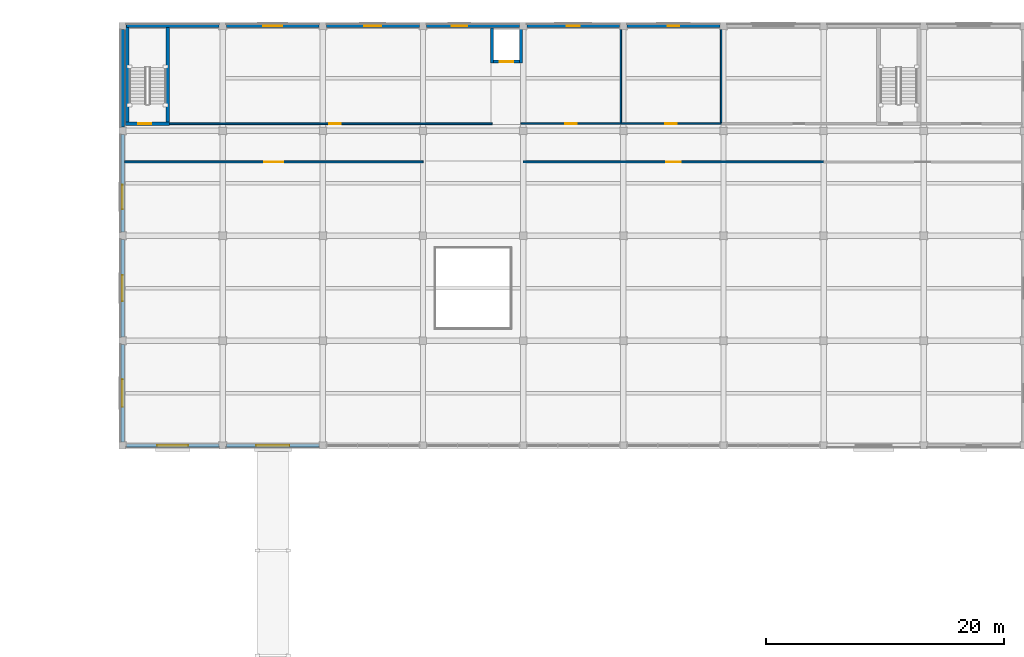
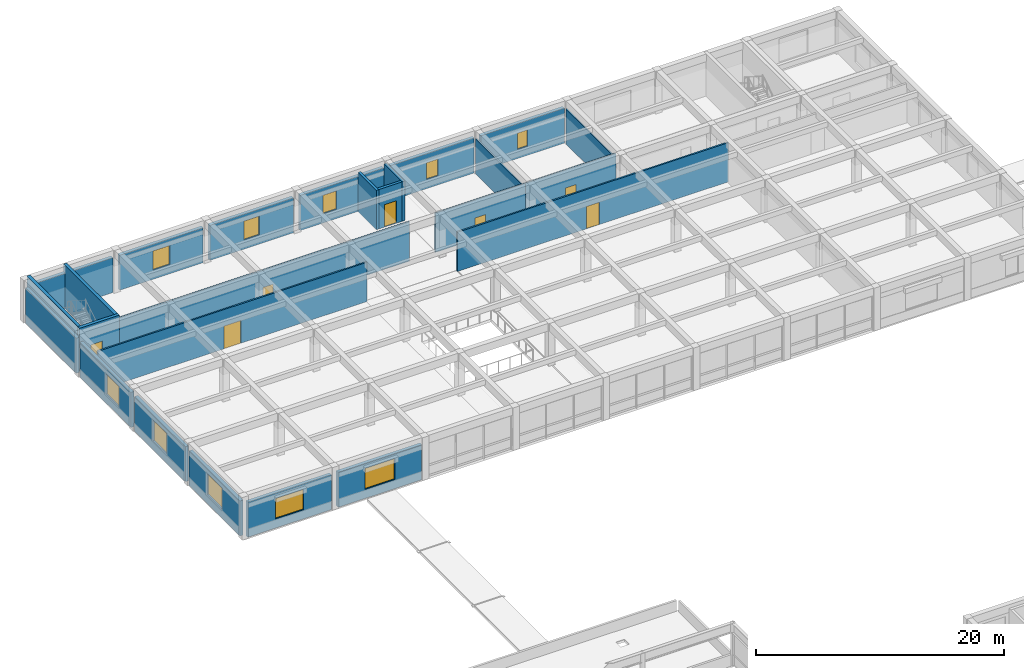
# One storey, part 32 of 46: 25 walls, 10 windows, 7 doors, 17 openings.
"""IFC4 building model written with IfcOpenShell, lengths in metres."""

from ifc_helpers import new_model, si_unit, direction, frame, frame_2d, origin, place, context, subcontext, project, spatial, rectangle, extrude, material, layer, layer_set, type_object, element, fill, save


model = new_model("IFC4")

# Units and contexts
model_context = context("Model", 3, precision=1e-05, world=origin(), true_north=direction((0.0, 1.0)))
body_context = subcontext(model_context, "Body", "Model", "MODEL_VIEW")
ifc_project = project(units=[si_unit("LENGTHUNIT", "METRE"), si_unit("AREAUNIT", "SQUARE_METRE"), si_unit("VOLUMEUNIT", "CUBIC_METRE"), si_unit("PLANEANGLEUNIT", "RADIAN"), si_unit("MASSUNIT", "GRAM", prefix="KILO")], contexts=[model_context])

# Site, building, storey
site_placement = place(None, origin())
site = spatial("IfcSite", under=ifc_project, at=site_placement, CompositionType="ELEMENT")
building_placement = place(site_placement, origin())
building = spatial("IfcBuilding", under=site, at=building_placement, Name="Kemercrest Conservatory and Botanical Centre", CompositionType="ELEMENT")
storey_placement = place(building_placement, frame((0.0, 0.0, 9.0)))
storey = spatial("IfcBuildingStorey", under=building, at=storey_placement, Name="L02", CompositionType="ELEMENT", Elevation=9.0)

# Wall
ifc_material_1 = material(Name="Precast concrete C40/50", Category="concrete")
ifc_layer_1 = layer(ifc_material_1, 0.300048828125)
ifc_layer_set_1 = layer_set([ifc_layer_1], Name="Precast concrete C40/50")
wall_type_1 = type_object("IfcWallType", Name="CW-EXT300", PredefinedType="SHEAR", material=ifc_layer_set_1)
wall_1_placement = place(storey_placement, frame((24.489990234375, 122.39990234375, 0.0), z_axis=(0.0, 0.0, 1.0), x_axis=(-1.0, 0.0, 0.0)))
element("IfcWall", 1, at=wall_1_placement, inside=storey, type_object=wall_type_1, Name="Exterior stair-core shear wall CW-EXT300 (WAL:L02:EXT-133)", PredefinedType="SHEAR", context=body_context, shape_type="SweptSolid", body=[
    extrude(rectangle(XDim=7.780029296875, YDim=0.300048828125, at=frame_2d((3.89013671875, 0.0))), origin(), (0.0, 0.0, 1.0), 3.449951171875),
])

# Wall, opening, door
ifc_material_2 = material(Name="Concrete C50/60", Category="concrete")
ifc_layer_2 = layer(ifc_material_2, 0.300048828125)
ifc_layer_set_2 = layer_set([ifc_layer_2], Name="Concrete C50/60")
wall_type_2 = type_object("IfcWallType", Name="CW-STAIR", PredefinedType="SHEAR", material=ifc_layer_set_2)
wall_2_placement = place(storey_placement, frame((16.64990234375, 114.199951171875, 0.0), z_axis=(0.0, 0.0, 1.0), x_axis=(1.0, 0.0, 0.0)))
wall_2 = element("IfcWall", 2, at=wall_2_placement, inside=storey, type_object=wall_type_2, Name="Stair core ST-V3A shear wall S", PredefinedType="SHEAR", context=body_context, shape_type="SweptSolid", body=[
    extrude(rectangle(XDim=3.7001953125, YDim=0.300048828125, at=frame_2d((1.85009765625, 0.0))), origin(), (0.0, 0.0, 1.0), 4.199951171875),
])
opening_1_placement = place(wall_2_placement, frame((1.050048828125, 0.0, 0.0)))
opening_1 = element("IfcOpeningElement", 3, at=opening_1_placement, cuts=wall_2, Name="Opening D018", PredefinedType="OPENING", context=body_context, shape_type="SweptSolid", body=[
    extrude(rectangle(XDim=1.10009765625, YDim=2.199951171875, at=frame_2d((0.550048828125, 1.10009765625))), frame((0.0, 0.16015625, 0.0), z_axis=(0.0, -1.0, 0.0), x_axis=(1.0, 0.0, 0.0)), (0.0, 0.0, 1.0), 0.320068359375),
])
ifc_material_3 = material(Name="Powder-coated galvanized steel and fire-rated vision glass", Category="steel")
door_type_1 = type_object("IfcDoorType", Name="DT-FD90", OperationType="NOTDEFINED", PredefinedType="DOOR", material=ifc_material_3)
door_1_placement = place(opening_1_placement, origin())
door_1 = element("IfcDoor", 4, at=door_1_placement, inside=storey, type_object=door_type_1, Name="Exit stair ST-V3A fire door D018", OperationType="SINGLE_SWING_RIGHT", OverallHeight=2.199951171875, OverallWidth=1.10009765625, PredefinedType="DOOR", context=body_context, shape_type="SweptSolid", body=[
    extrude(rectangle(XDim=1.10009765625, YDim=2.199951171875, at=frame_2d((0.550048828125, 1.10009765625))), frame((0.0, 0.02490234375, 0.0), z_axis=(0.0, -1.0, 0.0), x_axis=(1.0, 0.0, 0.0)), (0.0, 0.0, 1.0), 0.050048828125),
])
fill(opening_1, door_1)

# Walls
for number, where, z_axis, x_axis, name in (
    (5, (16.800048828125, 114.050048828125, 0.0), (0.0, 0.0, 1.0), (0.0, 1.0, 0.0), "Stair core ST-V3A shear wall W"),
    (6, (20.199951171875, 114.050048828125, 0.0), (0.0, 0.0, 1.0), (0.0, 1.0, 0.0), "Stair core ST-V3A shear wall E"),
):
    element("IfcWall", number, at=place(storey_placement, frame(where, z_axis=z_axis, x_axis=x_axis)), inside=storey, type_object=wall_type_2, Name=name, PredefinedType="SHEAR", context=body_context, shape_type="SweptSolid", body=[
        extrude(rectangle(XDim=8.5, YDim=0.300048828125, at=frame_2d((4.25, 0.0))), origin(), (0.0, 0.0, 1.0), 4.199951171875),
    ])

# Wall, opening, window
ifc_layer_3 = layer(ifc_material_1, 0.300048828125)
ifc_layer_set_3 = layer_set([ifc_layer_3], Name="Precast concrete C40/50")
wall_type_3 = type_object("IfcWallType", Name="W-EXT300", PredefinedType="SOLIDWALL", material=ifc_layer_set_3)
wall_3_placement = place(storey_placement, frame((16.7099609375, 87.199951171875, 0.0), z_axis=(0.0, 0.0, 1.0), x_axis=(1.0, 0.0, 0.0)))
wall_3 = element("IfcWall", 7, at=wall_3_placement, inside=storey, type_object=wall_type_3, Name="Exterior almasik wall W-EXT300 (WAL:L02:EXT-117)", PredefinedType="SOLIDWALL", context=body_context, shape_type="SweptSolid", body=[
    extrude(rectangle(XDim=7.780029296875, YDim=0.300048828125, at=frame_2d((3.89013671875, 0.0))), origin(), (0.0, 0.0, 1.0), 3.449951171875),
])
opening_2_placement = place(wall_3_placement, frame((2.590087890625, 0.0, 0.89990234375)))
opening_2 = element("IfcOpeningElement", 8, at=opening_2_placement, cuts=wall_3, Name="Opening WT-10", PredefinedType="OPENING", context=body_context, shape_type="SweptSolid", body=[
    extrude(rectangle(XDim=2.60009765625, YDim=2.0, at=frame_2d((1.300048828125, 1.0))), frame((0.0, 0.16015625, 0.0), z_axis=(0.0, -1.0, 0.0), x_axis=(1.0, 0.0, 0.0)), (0.0, 0.0, 1.0), 0.320068359375),
])
ifc_material_4 = material(Name="Thermally broken bronze-anodized aluminium and triple glazing", Category="aluminium")
window_type_1 = type_object("IfcWindowType", Name="WT-10", PartitioningType="SINGLE_PANEL", PredefinedType="WINDOW", material=ifc_material_4)
window_1_placement = place(opening_2_placement, origin())
window_1 = element("IfcWindow", 9, at=window_1_placement, inside=storey, type_object=window_type_1, Name="Exterior window WT-10 (WIN:L02:EXT-117)", OverallHeight=2.0, OverallWidth=2.60009765625, PartitioningType="SINGLE_PANEL", PredefinedType="WINDOW", context=body_context, shape_type="SweptSolid", body=[
    extrude(rectangle(XDim=2.60009765625, YDim=2.0, at=frame_2d((1.300048828125, 1.0))), frame((0.0, 0.030029296875, 0.0), z_axis=(0.0, -1.0, 0.0), x_axis=(1.0, 0.0, 0.0)), (0.0, 0.0, 1.0), 0.06005859375),
])
fill(opening_2, window_1)

wall_4_placement = place(storey_placement, frame((25.110107421875, 87.199951171875, 0.0), z_axis=(0.0, 0.0, 1.0), x_axis=(1.0, 0.0, 0.0)))
wall_4 = element("IfcWall", 10, at=wall_4_placement, inside=storey, type_object=wall_type_3, Name="Exterior almasik wall W-EXT300 (WAL:L02:EXT-118)", PredefinedType="SOLIDWALL", context=body_context, shape_type="SweptSolid", body=[
    extrude(rectangle(XDim=7.77978515625, YDim=0.300048828125, at=frame_2d((3.889892578125, 0.0))), origin(), (0.0, 0.0, 1.0), 3.449951171875),
])
opening_3_placement = place(wall_4_placement, frame((2.489990234375, 0.0, 0.89990234375)))
opening_3 = element("IfcOpeningElement", 11, at=opening_3_placement, cuts=wall_4, Name="Opening WT-11", PredefinedType="OPENING", context=body_context, shape_type="SweptSolid", body=[
    extrude(rectangle(XDim=2.800048828125, YDim=2.050048828125, at=frame_2d((1.39990234375, 1.02490234375))), frame((0.0, 0.16015625, 0.0), z_axis=(0.0, -1.0, 0.0), x_axis=(1.0, 0.0, 0.0)), (0.0, 0.0, 1.0), 0.320068359375),
])
window_type_2 = type_object("IfcWindowType", Name="WT-11", PartitioningType="SINGLE_PANEL", PredefinedType="WINDOW", material=ifc_material_4)
window_2_placement = place(opening_3_placement, origin())
window_2 = element("IfcWindow", 12, at=window_2_placement, inside=storey, type_object=window_type_2, Name="Exterior window WT-11 (WIN:L02:EXT-118)", OverallHeight=2.050048828125, OverallWidth=2.800048828125, PartitioningType="SINGLE_PANEL", PredefinedType="WINDOW", context=body_context, shape_type="SweptSolid", body=[
    extrude(rectangle(XDim=2.800048828125, YDim=2.050048828125, at=frame_2d((1.39990234375, 1.02490234375))), frame((0.0, 0.030029296875, 0.0), z_axis=(0.0, -1.0, 0.0), x_axis=(1.0, 0.0, 0.0)), (0.0, 0.0, 1.0), 0.06005859375),
])
fill(opening_3, window_2)

wall_5_placement = place(storey_placement, frame((66.489990234375, 122.39990234375, 0.0), z_axis=(0.0, 0.0, 1.0), x_axis=(-1.0, 0.0, 0.0)))
wall_5 = element("IfcWall", 13, at=wall_5_placement, inside=storey, type_object=wall_type_3, Name="Exterior almasik wall W-EXT300 (WAL:L02:EXT-128)", PredefinedType="SOLIDWALL", context=body_context, shape_type="SweptSolid", body=[
    extrude(rectangle(XDim=7.780029296875, YDim=0.300048828125, at=frame_2d((3.89013671875, 0.0))), origin(), (0.0, 0.0, 1.0), 3.449951171875),
])
opening_4_placement = place(wall_5_placement, frame((3.4150390625, 0.0, 0.89990234375)))
opening_4 = element("IfcOpeningElement", 14, at=opening_4_placement, cuts=wall_5, Name="Opening WT-21", PredefinedType="OPENING", context=body_context, shape_type="SweptSolid", body=[
    extrude(rectangle(XDim=0.949951171875, YDim=1.60009765625, at=frame_2d((0.47509765625, 0.800048828125))), frame((0.0, 0.16015625, 0.0), z_axis=(0.0, -1.0, 0.0), x_axis=(1.0, 0.0, 0.0)), (0.0, 0.0, 1.0), 0.320068359375),
])
window_type_3 = type_object("IfcWindowType", Name="WT-21", PartitioningType="SINGLE_PANEL", PredefinedType="WINDOW", material=ifc_material_4)
window_3_placement = place(opening_4_placement, origin())
window_3 = element("IfcWindow", 15, at=window_3_placement, inside=storey, type_object=window_type_3, Name="Exterior window WT-21 (WIN:L02:EXT-128)", OverallHeight=1.60009765625, OverallWidth=0.949951171875, PartitioningType="SINGLE_PANEL", PredefinedType="WINDOW", context=body_context, shape_type="SweptSolid", body=[
    extrude(rectangle(XDim=0.949951171875, YDim=1.60009765625, at=frame_2d((0.47509765625, 0.800048828125))), frame((0.0, 0.030029296875, 0.0), z_axis=(0.0, -1.0, 0.0), x_axis=(1.0, 0.0, 0.0)), (0.0, 0.0, 1.0), 0.06005859375),
])
fill(opening_4, window_3)

wall_6_placement = place(storey_placement, frame((58.090087890625, 122.39990234375, 0.0), z_axis=(0.0, 0.0, 1.0), x_axis=(-1.0, 0.0, 0.0)))
wall_6 = element("IfcWall", 16, at=wall_6_placement, inside=storey, type_object=wall_type_3, Name="Exterior almasik wall W-EXT300 (WAL:L02:EXT-129)", PredefinedType="SOLIDWALL", context=body_context, shape_type="SweptSolid", body=[
    extrude(rectangle(XDim=7.780029296875, YDim=0.300048828125, at=frame_2d((3.89013671875, 0.0))), origin(), (0.0, 0.0, 1.0), 3.449951171875),
])
opening_5_placement = place(wall_6_placement, frame((3.340087890625, 0.0, 0.89990234375)))
opening_5 = element("IfcOpeningElement", 17, at=opening_5_placement, cuts=wall_6, Name="Opening WT-22", PredefinedType="OPENING", context=body_context, shape_type="SweptSolid", body=[
    extrude(rectangle(XDim=1.10009765625, YDim=1.64990234375, at=frame_2d((0.550048828125, 0.824951171875))), frame((0.0, 0.16015625, 0.0), z_axis=(0.0, -1.0, 0.0), x_axis=(1.0, 0.0, 0.0)), (0.0, 0.0, 1.0), 0.320068359375),
])
window_type_4 = type_object("IfcWindowType", Name="WT-22", PartitioningType="SINGLE_PANEL", PredefinedType="WINDOW", material=ifc_material_4)
window_4_placement = place(opening_5_placement, origin())
window_4 = element("IfcWindow", 18, at=window_4_placement, inside=storey, type_object=window_type_4, Name="Exterior window WT-22 (WIN:L02:EXT-129)", OverallHeight=1.64990234375, OverallWidth=1.10009765625, PartitioningType="SINGLE_PANEL", PredefinedType="WINDOW", context=body_context, shape_type="SweptSolid", body=[
    extrude(rectangle(XDim=1.10009765625, YDim=1.64990234375, at=frame_2d((0.550048828125, 0.824951171875))), frame((0.0, 0.030029296875, 0.0), z_axis=(0.0, -1.0, 0.0), x_axis=(1.0, 0.0, 0.0)), (0.0, 0.0, 1.0), 0.06005859375),
])
fill(opening_5, window_4)

wall_7_placement = place(storey_placement, frame((49.68994140625, 122.39990234375, 0.0), z_axis=(0.0, 0.0, 1.0), x_axis=(-1.0, 0.0, 0.0)))
wall_7 = element("IfcWall", 19, at=wall_7_placement, inside=storey, type_object=wall_type_3, Name="Exterior almasik wall W-EXT300 (WAL:L02:EXT-130)", PredefinedType="SOLIDWALL", context=body_context, shape_type="SweptSolid", body=[
    extrude(rectangle(XDim=7.780029296875, YDim=0.300048828125, at=frame_2d((3.89013671875, 0.0))), origin(), (0.0, 0.0, 1.0), 3.449951171875),
])
opening_6_placement = place(wall_7_placement, frame((4.39501953125, 0.0, 0.89990234375)))
opening_6 = element("IfcOpeningElement", 20, at=opening_6_placement, cuts=wall_7, Name="Opening WT-29", PredefinedType="OPENING", context=body_context, shape_type="SweptSolid", body=[
    extrude(rectangle(XDim=1.280029296875, YDim=1.820068359375, at=frame_2d((0.64013671875, 0.91015625))), frame((0.0, 0.16015625, 0.0), z_axis=(0.0, -1.0, 0.0), x_axis=(1.0, 0.0, 0.0)), (0.0, 0.0, 1.0), 0.320068359375),
])
window_type_5 = type_object("IfcWindowType", Name="WT-29", PartitioningType="SINGLE_PANEL", PredefinedType="WINDOW", material=ifc_material_4)
window_5_placement = place(opening_6_placement, origin())
window_5 = element("IfcWindow", 21, at=window_5_placement, inside=storey, type_object=window_type_5, Name="Exterior window WT-29 (WIN:L02:EXT-130)", OverallHeight=1.820068359375, OverallWidth=1.280029296875, PartitioningType="SINGLE_PANEL", PredefinedType="WINDOW", context=body_context, shape_type="SweptSolid", body=[
    extrude(rectangle(XDim=1.280029296875, YDim=1.820068359375, at=frame_2d((0.64013671875, 0.91015625))), frame((0.0, 0.030029296875, 0.0), z_axis=(0.0, -1.0, 0.0), x_axis=(1.0, 0.0, 0.0)), (0.0, 0.0, 1.0), 0.06005859375),
])
fill(opening_6, window_5)

wall_8_placement = place(storey_placement, frame((41.2900390625, 122.39990234375, 0.0), z_axis=(0.0, 0.0, 1.0), x_axis=(-1.0, 0.0, 0.0)))
wall_8 = element("IfcWall", 22, at=wall_8_placement, inside=storey, type_object=wall_type_3, Name="Exterior almasik wall W-EXT300 (WAL:L02:EXT-131)", PredefinedType="SOLIDWALL", context=body_context, shape_type="SweptSolid", body=[
    extrude(rectangle(XDim=7.780029296875, YDim=0.300048828125, at=frame_2d((3.89013671875, 0.0))), origin(), (0.0, 0.0, 1.0), 3.449951171875),
])
opening_7_placement = place(wall_8_placement, frame((3.179931640625, 0.0, 0.89990234375)))
opening_7 = element("IfcOpeningElement", 23, at=opening_7_placement, cuts=wall_8, Name="Opening WT-30", PredefinedType="OPENING", context=body_context, shape_type="SweptSolid", body=[
    extrude(rectangle(XDim=1.419921875, YDim=1.860107421875, at=frame_2d((0.7099609375, 0.93017578125))), frame((0.0, 0.16015625, 0.0), z_axis=(0.0, -1.0, 0.0), x_axis=(1.0, 0.0, 0.0)), (0.0, 0.0, 1.0), 0.320068359375),
])
window_type_6 = type_object("IfcWindowType", Name="WT-30", PartitioningType="SINGLE_PANEL", PredefinedType="WINDOW", material=ifc_material_4)
window_6_placement = place(opening_7_placement, origin())
window_6 = element("IfcWindow", 24, at=window_6_placement, inside=storey, type_object=window_type_6, Name="Exterior window WT-30 (WIN:L02:EXT-131)", OverallHeight=1.860107421875, OverallWidth=1.419921875, PartitioningType="SINGLE_PANEL", PredefinedType="WINDOW", context=body_context, shape_type="SweptSolid", body=[
    extrude(rectangle(XDim=1.419921875, YDim=1.860107421875, at=frame_2d((0.7099609375, 0.93017578125))), frame((0.0, 0.030029296875, 0.0), z_axis=(0.0, -1.0, 0.0), x_axis=(1.0, 0.0, 0.0)), (0.0, 0.0, 1.0), 0.06005859375),
])
fill(opening_7, window_6)

wall_9_placement = place(storey_placement, frame((32.889892578125, 122.39990234375, 0.0), z_axis=(0.0, 0.0, 1.0), x_axis=(-1.0, 0.0, 0.0)))
wall_9 = element("IfcWall", 25, at=wall_9_placement, inside=storey, type_object=wall_type_3, Name="Exterior almasik wall W-EXT300 (WAL:L02:EXT-132)", PredefinedType="SOLIDWALL", context=body_context, shape_type="SweptSolid", body=[
    extrude(rectangle(XDim=7.77978515625, YDim=0.300048828125, at=frame_2d((3.889892578125, 0.0))), origin(), (0.0, 0.0, 1.0), 3.449951171875),
])
opening_8_placement = place(wall_9_placement, frame((3.110107421875, 0.0, 0.89990234375)))
opening_8 = element("IfcOpeningElement", 26, at=opening_8_placement, cuts=wall_9, Name="Opening WT-31", PredefinedType="OPENING", context=body_context, shape_type="SweptSolid", body=[
    extrude(rectangle(XDim=1.56005859375, YDim=1.8798828125, at=frame_2d((0.780029296875, 0.93994140625))), frame((0.0, 0.16015625, 0.0), z_axis=(0.0, -1.0, 0.0), x_axis=(1.0, 0.0, 0.0)), (0.0, 0.0, 1.0), 0.320068359375),
])
window_type_7 = type_object("IfcWindowType", Name="WT-31", PartitioningType="SINGLE_PANEL", PredefinedType="WINDOW", material=ifc_material_4)
window_7_placement = place(opening_8_placement, origin())
window_7 = element("IfcWindow", 27, at=window_7_placement, inside=storey, type_object=window_type_7, Name="Exterior window WT-31 (WIN:L02:EXT-132)", OverallHeight=1.8798828125, OverallWidth=1.56005859375, PartitioningType="SINGLE_PANEL", PredefinedType="WINDOW", context=body_context, shape_type="SweptSolid", body=[
    extrude(rectangle(XDim=1.56005859375, YDim=1.8798828125, at=frame_2d((0.780029296875, 0.93994140625))), frame((0.0, 0.030029296875, 0.0), z_axis=(0.0, -1.0, 0.0), x_axis=(1.0, 0.0, 0.0)), (0.0, 0.0, 1.0), 0.06005859375),
])
fill(opening_8, window_7)

# Wall
wall_10_placement = place(storey_placement, frame((16.39990234375, 122.090087890625, 0.0), z_axis=(0.0, 0.0, 1.0), x_axis=(0.0, -1.0, 0.0)))
element("IfcWall", 28, at=wall_10_placement, inside=storey, type_object=wall_type_3, Name="Exterior almasik wall W-EXT300 (WAL:L02:EXT-134)", PredefinedType="SOLIDWALL", context=body_context, shape_type="SweptSolid", body=[
    extrude(rectangle(XDim=8.18017578125, YDim=0.300048828125, at=frame_2d((4.090087890625, 0.0))), origin(), (0.0, 0.0, 1.0), 3.449951171875),
])

# Wall, opening, window
wall_11_placement = place(storey_placement, frame((16.39990234375, 113.2900390625, 0.0), z_axis=(0.0, 0.0, 1.0), x_axis=(0.0, -1.0, 0.0)))
wall_11 = element("IfcWall", 29, at=wall_11_placement, inside=storey, type_object=wall_type_3, Name="Exterior almasik wall W-EXT300 (WAL:L02:EXT-135)", PredefinedType="SOLIDWALL", context=body_context, shape_type="SweptSolid", body=[
    extrude(rectangle(XDim=8.179931640625, YDim=0.300048828125, at=frame_2d((4.08984375, 0.0))), origin(), (0.0, 0.0, 1.0), 3.449951171875),
])
opening_9_placement = place(wall_11_placement, frame((4.215087890625, 0.0, 0.89990234375)))
opening_9 = element("IfcOpeningElement", 30, at=opening_9_placement, cuts=wall_11, Name="Opening WT-34", PredefinedType="OPENING", context=body_context, shape_type="SweptSolid", body=[
    extrude(rectangle(XDim=2.0400390625, YDim=1.97998046875, at=frame_2d((1.02001953125, 0.989990234375))), frame((0.0, 0.16015625, 0.0), z_axis=(0.0, -1.0, 0.0), x_axis=(1.0, 0.0, 0.0)), (0.0, 0.0, 1.0), 0.320068359375),
])
window_type_8 = type_object("IfcWindowType", Name="WT-34", PartitioningType="SINGLE_PANEL", PredefinedType="WINDOW", material=ifc_material_4)
window_8_placement = place(opening_9_placement, origin())
window_8 = element("IfcWindow", 31, at=window_8_placement, inside=storey, type_object=window_type_8, Name="Exterior window WT-34 (WIN:L02:EXT-135)", OverallHeight=1.97998046875, OverallWidth=2.0400390625, PartitioningType="SINGLE_PANEL", PredefinedType="WINDOW", context=body_context, shape_type="SweptSolid", body=[
    extrude(rectangle(XDim=2.0400390625, YDim=1.97998046875, at=frame_2d((1.02001953125, 0.989990234375))), frame((0.0, 0.030029296875, 0.0), z_axis=(0.0, -1.0, 0.0), x_axis=(1.0, 0.0, 0.0)), (0.0, 0.0, 1.0), 0.06005859375),
])
fill(opening_9, window_8)

wall_12_placement = place(storey_placement, frame((16.39990234375, 104.489990234375, 0.0), z_axis=(0.0, 0.0, 1.0), x_axis=(0.0, -1.0, 0.0)))
wall_12 = element("IfcWall", 32, at=wall_12_placement, inside=storey, type_object=wall_type_3, Name="Exterior almasik wall W-EXT300 (WAL:L02:EXT-136)", PredefinedType="SOLIDWALL", context=body_context, shape_type="SweptSolid", body=[
    extrude(rectangle(XDim=8.179931640625, YDim=0.300048828125, at=frame_2d((4.08984375, 0.0))), origin(), (0.0, 0.0, 1.0), 3.449951171875),
])
opening_10_placement = place(wall_12_placement, frame((3.0, 0.0, 0.89990234375)))
opening_10 = element("IfcOpeningElement", 33, at=opening_10_placement, cuts=wall_12, Name="Opening WT-35", PredefinedType="OPENING", context=body_context, shape_type="SweptSolid", body=[
    extrude(rectangle(XDim=2.179931640625, YDim=2.02001953125, at=frame_2d((1.08984375, 1.010009765625))), frame((0.0, 0.16015625, 0.0), z_axis=(0.0, -1.0, 0.0), x_axis=(1.0, 0.0, 0.0)), (0.0, 0.0, 1.0), 0.320068359375),
])
window_type_9 = type_object("IfcWindowType", Name="WT-35", PartitioningType="SINGLE_PANEL", PredefinedType="WINDOW", material=ifc_material_4)
window_9_placement = place(opening_10_placement, origin())
window_9 = element("IfcWindow", 34, at=window_9_placement, inside=storey, type_object=window_type_9, Name="Exterior window WT-35 (WIN:L02:EXT-136)", OverallHeight=2.02001953125, OverallWidth=2.179931640625, PartitioningType="SINGLE_PANEL", PredefinedType="WINDOW", context=body_context, shape_type="SweptSolid", body=[
    extrude(rectangle(XDim=2.179931640625, YDim=2.02001953125, at=frame_2d((1.08984375, 1.010009765625))), frame((0.0, 0.030029296875, 0.0), z_axis=(0.0, -1.0, 0.0), x_axis=(1.0, 0.0, 0.0)), (0.0, 0.0, 1.0), 0.06005859375),
])
fill(opening_10, window_9)

wall_13_placement = place(storey_placement, frame((16.39990234375, 95.68994140625, 0.0), z_axis=(0.0, 0.0, 1.0), x_axis=(0.0, -1.0, 0.0)))
wall_13 = element("IfcWall", 35, at=wall_13_placement, inside=storey, type_object=wall_type_3, Name="Exterior almasik wall W-EXT300 (WAL:L02:EXT-137)", PredefinedType="SOLIDWALL", context=body_context, shape_type="SweptSolid", body=[
    extrude(rectangle(XDim=8.179931640625, YDim=0.300048828125, at=frame_2d((4.08984375, 0.0))), origin(), (0.0, 0.0, 1.0), 3.449951171875),
])
opening_11_placement = place(wall_13_placement, frame((2.929931640625, 0.0, 0.89990234375)))
opening_11 = element("IfcOpeningElement", 36, at=opening_11_placement, cuts=wall_13, Name="Opening WT-36", PredefinedType="OPENING", context=body_context, shape_type="SweptSolid", body=[
    extrude(rectangle(XDim=2.320068359375, YDim=2.06005859375, at=frame_2d((1.16015625, 1.030029296875))), frame((0.0, 0.16015625, 0.0), z_axis=(0.0, -1.0, 0.0), x_axis=(1.0, 0.0, 0.0)), (0.0, 0.0, 1.0), 0.320068359375),
])
window_type_10 = type_object("IfcWindowType", Name="WT-36", PartitioningType="SINGLE_PANEL", PredefinedType="WINDOW", material=ifc_material_4)
window_10_placement = place(opening_11_placement, origin())
window_10 = element("IfcWindow", 37, at=window_10_placement, inside=storey, type_object=window_type_10, Name="Exterior window WT-36 (WIN:L02:EXT-137)", OverallHeight=2.06005859375, OverallWidth=2.320068359375, PartitioningType="SINGLE_PANEL", PredefinedType="WINDOW", context=body_context, shape_type="SweptSolid", body=[
    extrude(rectangle(XDim=2.320068359375, YDim=2.06005859375, at=frame_2d((1.16015625, 1.030029296875))), frame((0.0, 0.030029296875, 0.0), z_axis=(0.0, -1.0, 0.0), x_axis=(1.0, 0.0, 0.0)), (0.0, 0.0, 1.0), 0.06005859375),
])
fill(opening_11, window_10)

# Wall, opening, door
ifc_material_5 = material(Name="Moisture-resistant gypsum board partition", Category="gypsum")
ifc_layer_4 = layer(ifc_material_5, 0.125)
ifc_layer_set_4 = layer_set([ifc_layer_4], Name="Moisture-resistant gypsum board partition")
wall_type_4 = type_object("IfcWallType", Name="W-PART125", PredefinedType="PARTITIONING", material=ifc_layer_set_4)
wall_14_placement = place(storey_placement, frame((49.800048828125, 114.199951171875, 0.0), z_axis=(0.0, 0.0, 1.0), x_axis=(1.0, 0.0, 0.0)))
wall_14 = element("IfcWall", 38, at=wall_14_placement, inside=storey, type_object=wall_type_4, Name="Interior partition W-PART125 #114", PredefinedType="PARTITIONING", context=body_context, shape_type="SweptSolid", body=[
    extrude(rectangle(XDim=8.39990234375, YDim=0.125, at=frame_2d((4.199951171875, 0.0))), origin(), (0.0, 0.0, 1.0), 3.864990234375),
])
opening_12_placement = place(wall_14_placement, frame((3.7099609375, 0.0, 0.0)))
opening_12 = element("IfcOpeningElement", 39, at=opening_12_placement, cuts=wall_14, Name="Opening D172", PredefinedType="OPENING", context=body_context, shape_type="SweptSolid", body=[
    extrude(rectangle(XDim=0.97998046875, YDim=2.10009765625, at=frame_2d((0.489990234375, 1.050048828125))), frame((0.0, 0.072509765625, 0.0), z_axis=(0.0, -1.0, 0.0), x_axis=(1.0, 0.0, 0.0)), (0.0, 0.0, 1.0), 0.14501953125),
])
ifc_material_6 = material(Name="FSC solid-core white oak veneer and anodized aluminium frame", Category="aluminium")
door_type_2 = type_object("IfcDoorType", Name="DT-02", OperationType="NOTDEFINED", PredefinedType="DOOR", material=ifc_material_6)
door_2_placement = place(opening_12_placement, origin())
door_2 = element("IfcDoor", 40, at=door_2_placement, inside=storey, type_object=door_type_2, Name="Public Washroom door D172", OperationType="SINGLE_SWING_RIGHT", OverallHeight=2.10009765625, OverallWidth=0.97998046875, PredefinedType="DOOR", context=body_context, shape_type="SweptSolid", body=[
    extrude(rectangle(XDim=0.97998046875, YDim=2.10009765625, at=frame_2d((0.489990234375, 1.050048828125))), frame((0.0, 0.02490234375, 0.0), z_axis=(0.0, -1.0, 0.0), x_axis=(1.0, 0.0, 0.0)), (0.0, 0.0, 1.0), 0.050048828125),
])
fill(opening_12, door_2)

wall_15_placement = place(storey_placement, frame((58.199951171875, 114.199951171875, 0.0), z_axis=(0.0, 0.0, 1.0), x_axis=(1.0, 0.0, 0.0)))
wall_15 = element("IfcWall", 41, at=wall_15_placement, inside=storey, type_object=wall_type_4, Name="Interior partition W-PART125 #115", PredefinedType="PARTITIONING", context=body_context, shape_type="SweptSolid", body=[
    extrude(rectangle(XDim=8.400146484375, YDim=0.125, at=frame_2d((4.2001953125, 0.0))), origin(), (0.0, 0.0, 1.0), 3.864990234375),
])
opening_13_placement = place(wall_15_placement, frame((3.7099609375, 0.0, 0.0)))
opening_13 = element("IfcOpeningElement", 42, at=opening_13_placement, cuts=wall_15, Name="Opening D173", PredefinedType="OPENING", context=body_context, shape_type="SweptSolid", body=[
    extrude(rectangle(XDim=0.97998046875, YDim=2.10009765625, at=frame_2d((0.489990234375, 1.050048828125))), frame((0.0, 0.072509765625, 0.0), z_axis=(0.0, -1.0, 0.0), x_axis=(1.0, 0.0, 0.0)), (0.0, 0.0, 1.0), 0.14501953125),
])
door_3_placement = place(opening_13_placement, origin())
door_3 = element("IfcDoor", 43, at=door_3_placement, inside=storey, type_object=door_type_2, Name="Accessible Washroom door D173", OperationType="SINGLE_SWING_LEFT", OverallHeight=2.10009765625, OverallWidth=0.97998046875, PredefinedType="DOOR", context=body_context, shape_type="SweptSolid", body=[
    extrude(rectangle(XDim=0.97998046875, YDim=2.10009765625, at=frame_2d((0.489990234375, 1.050048828125))), frame((0.0, 0.02490234375, 0.0), z_axis=(0.0, -1.0, 0.0), x_axis=(1.0, 0.0, 0.0)), (0.0, 0.0, 1.0), 0.050048828125),
])
fill(opening_13, door_3)

# Walls
wall_16_placement = place(storey_placement, frame((58.199951171875, 114.267578125, 0.0), z_axis=(0.0, 0.0, 1.0), x_axis=(0.0, 1.0, 0.0)))
element("IfcWall", 44, at=wall_16_placement, inside=storey, type_object=wall_type_4, Name="Interior partition W-PART125 #132", PredefinedType="PARTITIONING", context=body_context, shape_type="SweptSolid", body=[
    extrude(rectangle(XDim=7.83251953125, YDim=0.125, at=frame_2d((3.916259765625, 0.0))), origin(), (0.0, 0.0, 1.0), 3.445068359375),
])
wall_17_placement = place(storey_placement, frame((66.60009765625, 114.280029296875, 0.0), z_axis=(0.0, 0.0, 1.0), x_axis=(0.0, 1.0, 0.0)))
element("IfcWall", 45, at=wall_17_placement, inside=storey, type_object=wall_type_4, Name="Interior partition W-PART125 #133", PredefinedType="PARTITIONING", context=body_context, shape_type="SweptSolid", body=[
    extrude(rectangle(XDim=7.820068359375, YDim=0.125, at=frame_2d((3.91015625, 0.0))), origin(), (0.0, 0.0, 1.0), 3.445068359375),
])

# Wall, opening, door
ifc_material_7 = material(Name="Steel-stud gypsum board partition", Category="steel")
ifc_layer_5 = layer(ifc_material_7, 0.14990234375)
ifc_layer_set_5 = layer_set([ifc_layer_5], Name="Steel-stud gypsum board partition")
wall_type_5 = type_object("IfcWallType", Name="W-PART150", PredefinedType="PARTITIONING", material=ifc_layer_set_5)
wall_18_placement = place(storey_placement, frame((16.554931640625, 111.0, 0.0), z_axis=(0.0, 0.0, 1.0), x_axis=(1.0, 0.0, 0.0)))
wall_18 = element("IfcWall", 46, at=wall_18_placement, inside=storey, type_object=wall_type_5, Name="Interior partition W-PART150 #110", PredefinedType="PARTITIONING", context=body_context, shape_type="SweptSolid", body=[
    extrude(rectangle(XDim=25.045166015625, YDim=0.14990234375, at=frame_2d((12.5224609375, 0.0))), origin(), (0.0, 0.0, 1.0), 3.864990234375),
])
opening_14_placement = place(wall_18_placement, frame((11.732421875, 0.0, 0.0)))
opening_14 = element("IfcOpeningElement", 47, at=opening_14_placement, cuts=wall_18, Name="Opening D168", PredefinedType="OPENING", context=body_context, shape_type="SweptSolid", body=[
    extrude(rectangle(XDim=1.580078125, YDim=2.25, at=frame_2d((0.7900390625, 1.125))), frame((0.0, 0.0849609375, 0.0), z_axis=(0.0, -1.0, 0.0), x_axis=(1.0, 0.0, 0.0)), (0.0, 0.0, 1.0), 0.169921875),
])
door_type_3 = type_object("IfcDoorType", Name="DT-10", OperationType="DOUBLE_DOOR_SINGLE_SWING", PredefinedType="DOOR", material=ifc_material_6)
door_4_placement = place(opening_14_placement, origin())
door_4 = element("IfcDoor", 48, at=door_4_placement, inside=storey, type_object=door_type_3, Name="Pacific Flora Exhibition Gallery door D168", OperationType="DOUBLE_DOOR_SINGLE_SWING", OverallHeight=2.25, OverallWidth=1.580078125, PredefinedType="DOOR", context=body_context, shape_type="SweptSolid", body=[
    extrude(rectangle(XDim=1.580078125, YDim=2.25, at=frame_2d((0.7900390625, 1.125))), frame((0.0, 0.02490234375, 0.0), z_axis=(0.0, -1.0, 0.0), x_axis=(1.0, 0.0, 0.0)), (0.0, 0.0, 1.0), 0.050048828125),
])
fill(opening_14, door_4)

wall_19_placement = place(storey_placement, frame((50.0, 111.0, 0.0), z_axis=(0.0, 0.0, 1.0), x_axis=(1.0, 0.0, 0.0)))
wall_19 = element("IfcWall", 49, at=wall_19_placement, inside=storey, type_object=wall_type_5, Name="Interior partition W-PART150 #111", PredefinedType="PARTITIONING", context=body_context, shape_type="SweptSolid", body=[
    extrude(rectangle(XDim=25.199951171875, YDim=0.14990234375, at=frame_2d((12.60009765625, 0.0))), origin(), (0.0, 0.0, 1.0), 3.864990234375),
])
opening_15_placement = place(wall_19_placement, frame((11.989990234375, 0.0, 0.0)))
opening_15 = element("IfcOpeningElement", 50, at=opening_15_placement, cuts=wall_19, Name="Opening D169", PredefinedType="OPENING", context=body_context, shape_type="SweptSolid", body=[
    extrude(rectangle(XDim=1.219970703125, YDim=2.199951171875, at=frame_2d((0.60986328125, 1.10009765625))), frame((0.0, 0.0849609375, 0.0), z_axis=(0.0, -1.0, 0.0), x_axis=(1.0, 0.0, 0.0)), (0.0, 0.0, 1.0), 0.169921875),
])
door_type_4 = type_object("IfcDoorType", Name="DT-06", OperationType="NOTDEFINED", PredefinedType="DOOR", material=ifc_material_6)
door_5_placement = place(opening_15_placement, origin())
door_5 = element("IfcDoor", 51, at=door_5_placement, inside=storey, type_object=door_type_4, Name="Ethnobotanical Classroom door D169", OperationType="SINGLE_SWING_LEFT", OverallHeight=2.199951171875, OverallWidth=1.219970703125, PredefinedType="DOOR", context=body_context, shape_type="SweptSolid", body=[
    extrude(rectangle(XDim=1.219970703125, YDim=2.199951171875, at=frame_2d((0.60986328125, 1.10009765625))), frame((0.0, 0.02490234375, 0.0), z_axis=(0.0, -1.0, 0.0), x_axis=(1.0, 0.0, 0.0)), (0.0, 0.0, 1.0), 0.050048828125),
])
fill(opening_15, door_5)

wall_20_placement = place(storey_placement, frame((20.35498046875, 114.199951171875, 0.0), z_axis=(0.0, 0.0, 1.0), x_axis=(1.0, 0.0, 0.0)))
wall_20 = element("IfcWall", 52, at=wall_20_placement, inside=storey, type_object=wall_type_5, Name="Interior partition W-PART150 #113", PredefinedType="PARTITIONING", context=body_context, shape_type="SweptSolid", body=[
    extrude(rectangle(XDim=27.044921875, YDim=0.14990234375, at=frame_2d((13.5224609375, 0.0))), origin(), (0.0, 0.0, 1.0), 3.864990234375),
])
opening_16_placement = place(wall_20_placement, frame((13.3974609375, 0.0, 0.0)))
opening_16 = element("IfcOpeningElement", 53, at=opening_16_placement, cuts=wall_20, Name="Opening D171", PredefinedType="OPENING", context=body_context, shape_type="SweptSolid", body=[
    extrude(rectangle(XDim=0.949951171875, YDim=2.179931640625, at=frame_2d((0.47509765625, 1.08984375))), frame((0.0, 0.0849609375, 0.0), z_axis=(0.0, -1.0, 0.0), x_axis=(1.0, 0.0, 0.0)), (0.0, 0.0, 1.0), 0.169921875),
])
door_type_5 = type_object("IfcDoorType", Name="DT-17", OperationType="NOTDEFINED", PredefinedType="DOOR", material=ifc_material_6)
door_6_placement = place(opening_16_placement, origin())
door_6 = element("IfcDoor", 54, at=door_6_placement, inside=storey, type_object=door_type_5, Name="Youth Education Studio door D171", OperationType="SINGLE_SWING_LEFT", OverallHeight=2.179931640625, OverallWidth=0.949951171875, PredefinedType="DOOR", context=body_context, shape_type="SweptSolid", body=[
    extrude(rectangle(XDim=0.949951171875, YDim=2.179931640625, at=frame_2d((0.47509765625, 1.08984375))), frame((0.0, 0.02490234375, 0.0), z_axis=(0.0, -1.0, 0.0), x_axis=(1.0, 0.0, 0.0)), (0.0, 0.0, 1.0), 0.050048828125),
])
fill(opening_16, door_6)

ifc_material_8 = material(Name="Concrete C40/50", Category="concrete")
ifc_layer_6 = layer(ifc_material_8, 0.25)
ifc_layer_set_6 = layer_set([ifc_layer_6], Name="Concrete C40/50")
wall_type_6 = type_object("IfcWallType", Name="W-SHFT250", PredefinedType="SOLIDWALL", material=ifc_layer_set_6)
wall_21_placement = place(storey_placement, frame((47.27490234375, 119.39990234375, 0.0), z_axis=(0.0, 0.0, 1.0), x_axis=(1.0, 0.0, 0.0)))
wall_21 = element("IfcWall", 55, at=wall_21_placement, inside=storey, type_object=wall_type_6, Name="Elevator LF-V3 shaft wall south", PredefinedType="SOLIDWALL", context=body_context, shape_type="SweptSolid", body=[
    extrude(rectangle(XDim=2.650146484375, YDim=0.25, at=frame_2d((1.3251953125, 0.0))), origin(), (0.0, 0.0, 1.0), 3.8798828125),
])
opening_17_placement = place(wall_21_placement, frame((0.77490234375, 0.0, 0.0)))
opening_17 = element("IfcOpeningElement", 56, at=opening_17_placement, cuts=wall_21, Name="Opening LD-103", PredefinedType="OPENING", context=body_context, shape_type="SweptSolid", body=[
    extrude(rectangle(XDim=1.10009765625, YDim=2.199951171875, at=frame_2d((0.550048828125, 1.10009765625))), frame((0.0, 0.135009765625, 0.0), z_axis=(0.0, -1.0, 0.0), x_axis=(1.0, 0.0, 0.0)), (0.0, 0.0, 1.0), 0.27001953125),
])
door_type_6 = type_object("IfcDoorType", Name="DT-LD01", OperationType="SLIDING_TO_LEFT", PredefinedType="DOOR", material=ifc_material_3)
door_7_placement = place(opening_17_placement, origin())
door_7 = element("IfcDoor", 57, at=door_7_placement, inside=storey, type_object=door_type_6, Name="Elevator LF-V3 sliding landing door LD-103", OperationType="SLIDING_TO_LEFT", OverallHeight=2.199951171875, OverallWidth=1.10009765625, PredefinedType="DOOR", context=body_context, shape_type="SweptSolid", body=[
    extrude(rectangle(XDim=1.10009765625, YDim=2.199951171875, at=frame_2d((0.550048828125, 1.10009765625))), frame((0.0, 0.02490234375, 0.0), z_axis=(0.0, -1.0, 0.0), x_axis=(1.0, 0.0, 0.0)), (0.0, 0.0, 1.0), 0.050048828125),
])
fill(opening_17, door_7)

# Walls
for number, where, z_axis, x_axis, name in (
    (58, (47.39990234375, 119.27490234375, 0.0), (0.0, 0.0, 1.0), (0.0, 1.0, 0.0), "Elevator LF-V3 shaft wall west"),
    (59, (49.800048828125, 119.27490234375, 0.0), (0.0, 0.0, 1.0), (0.0, 1.0, 0.0), "Elevator LF-V3 shaft wall east"),
):
    element("IfcWall", number, at=place(storey_placement, frame(where, z_axis=z_axis, x_axis=x_axis)), inside=storey, type_object=wall_type_6, Name=name, PredefinedType="SOLIDWALL", context=body_context, shape_type="SweptSolid", body=[
        extrude(rectangle(XDim=2.9501953125, YDim=0.25, at=frame_2d((1.47509765625, 0.0))), origin(), (0.0, 0.0, 1.0), 3.8798828125),
    ])

save(model, "model.ifc")
